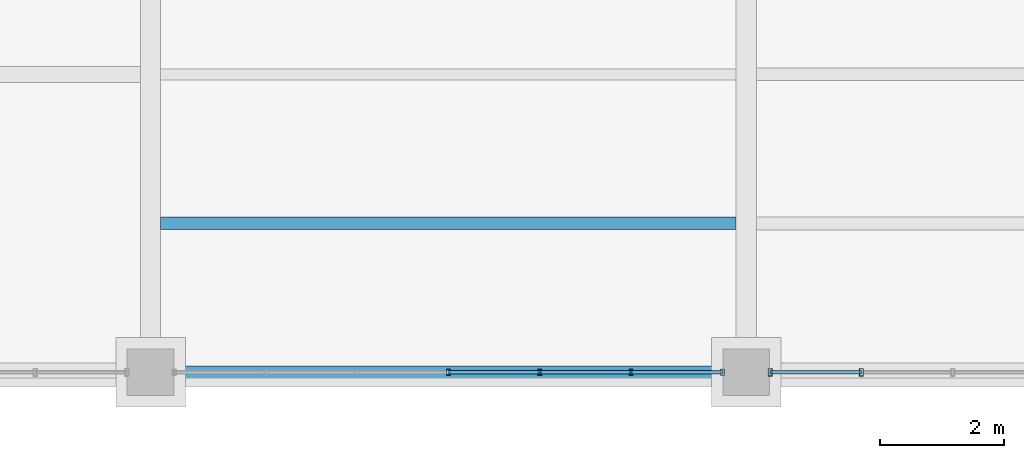
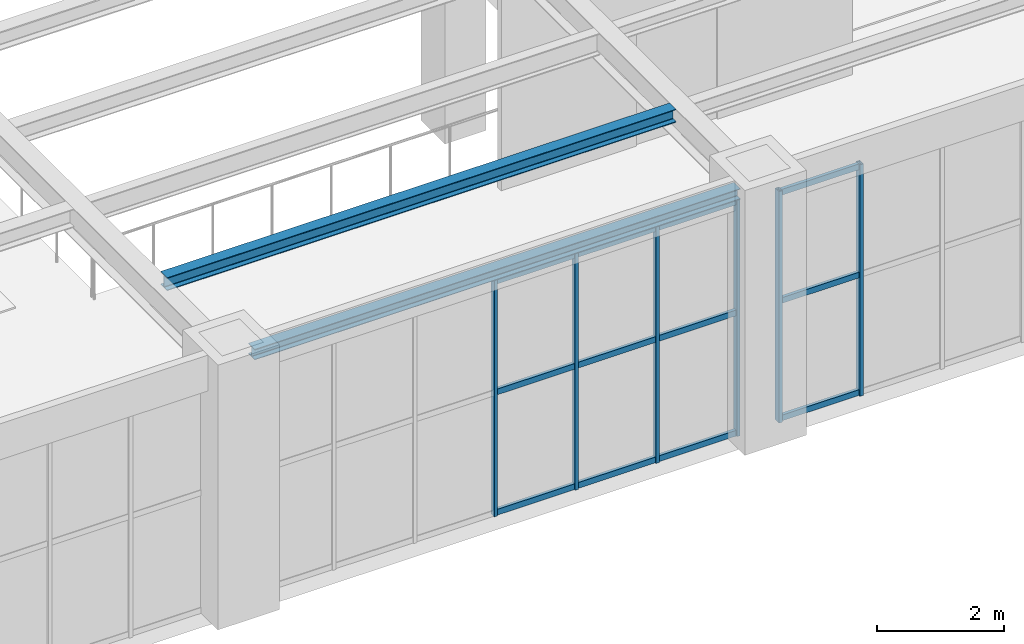
# One storey, part 12 of 174: 18 members, 2 beams, 2 elements without a shape of their own.
"""IFC4 building model written with IfcOpenShell, lengths in metres."""

from ifc_helpers import new_model, si_unit, direction, frame, origin, origin_2d, place, context, subcontext, project, spatial, hollow_rectangle, i_section, extrude, material, material_profile, profile_set, type_object, element, aggregate, save


model = new_model("IFC4")

# Units and contexts
model_context = context("Model", 3, precision=1e-05, world=origin(), true_north=direction((0.0, 1.0)))
body_context = subcontext(model_context, "Body", "Model", "MODEL_VIEW")
ifc_project = project(units=[si_unit("LENGTHUNIT", "METRE"), si_unit("AREAUNIT", "SQUARE_METRE"), si_unit("VOLUMEUNIT", "CUBIC_METRE"), si_unit("PLANEANGLEUNIT", "RADIAN"), si_unit("MASSUNIT", "GRAM", prefix="KILO")], contexts=[model_context])

# Site, building, storey
site_placement = place(None, origin())
site = spatial("IfcSite", under=ifc_project, at=site_placement, CompositionType="ELEMENT")
building_placement = place(site_placement, origin())
building = spatial("IfcBuilding", under=site, at=building_placement, Name="Mavantir Sound Aquarium", CompositionType="ELEMENT")
storey_placement = place(building_placement, frame((0.0, 0.0, 5.39990234375)))
storey = spatial("IfcBuildingStorey", under=building, at=storey_placement, Name="L01", CompositionType="ELEMENT", Elevation=5.39990234375)

# Beams
ifc_material_1 = material(Name="Structural Steel ASTM A992 Gr50", Category="steel")
ifc_material_profile_1 = material_profile(ifc_material_1, i_section(OverallWidth=0.202880859375, OverallDepth=0.202880859375, WebThickness=0.007080078125, FlangeThickness=0.010986328125, FilletRadius=0.010009765625, at=origin_2d()), Name="W200X46")
ifc_profile_set_1 = profile_set([ifc_material_profile_1], Name="Structural Steel ASTM A992 Gr50")
beam_type_1 = type_object("IfcBeamType", Name="BM-W200X46-E", PredefinedType="LINTEL", material=ifc_profile_set_1)
beam_1_placement = place(storey_placement, frame((19.574951171875, 0.0, 4.694580078125), z_axis=(1.0, 0.0, 0.0), x_axis=(0.0, 1.0, 0.0)))
element("IfcBeam", 1, at=beam_1_placement, inside=storey, type_object=beam_type_1, Name="L01 primary beam SL-20 1208", PredefinedType="LINTEL", context=body_context, shape_type="SweptSolid", body=[
    extrude(i_section(OverallWidth=0.202880859375, OverallDepth=0.202880859375, WebThickness=0.007080078125, FlangeThickness=0.010986328125, FilletRadius=0.010009765625, at=origin_2d()), origin(), (0.0, 0.0, 1.0), 8.85009765625),
])
ifc_material_profile_2 = material_profile(ifc_material_1, i_section(OverallWidth=0.202880859375, OverallDepth=0.251953125, WebThickness=0.008056640625, FlangeThickness=0.013427734375, FilletRadius=0.011962890625, at=origin_2d()), Name="W250X58")
ifc_profile_set_2 = profile_set([ifc_material_profile_2], Name="Structural Steel ASTM A992 Gr50")
beam_type_2 = type_object("IfcBeamType", Name="BM-W250X58-I", PredefinedType="JOIST", material=ifc_profile_set_2)
beam_2_placement = place(storey_placement, frame((19.362060546875, 2.39990234375, 4.670166015625), z_axis=(1.0, 0.0, 0.0), x_axis=(0.0, 1.0, 0.0)))
element("IfcBeam", 2, at=beam_2_placement, inside=storey, type_object=beam_type_2, Name="L01 secondary floor joist SJ-25 692", PredefinedType="JOIST", context=body_context, shape_type="SweptSolid", body=[
    extrude(i_section(OverallWidth=0.202880859375, OverallDepth=0.251953125, WebThickness=0.008056640625, FlangeThickness=0.013427734375, FilletRadius=0.011962890625, at=origin_2d()), origin(), (0.0, 0.0, 1.0), 9.27587890625),
])

# Curtain wall, members
ifc_material_2 = material(Name="Anodised Marine Aluminium and Low-E Glass", Category="aluminium")
curtain_wall_type_1 = type_object("IfcCurtainWallType", Name="CW-T07", PredefinedType="USERDEFINED", material=ifc_material_2)
curtain_wall_1_placement = place(storey_placement, origin())
curtain_wall_1 = element("IfcCurtainWall", 3, at=curtain_wall_1_placement, inside=storey, type_object=curtain_wall_type_1, Name="L01 unitised curtain wall CW-07 79", ObjectType="UNITISED GLAZING", PredefinedType="USERDEFINED")
ifc_material_3 = material(Name="Anodised Marine Aluminium 6063-T6", Category="aluminium")
ifc_material_profile_3 = material_profile(ifc_material_3, hollow_rectangle(XDim=0.06005859375, YDim=0.10009765625, WallThickness=0.00390625, at=origin_2d()), Name="ALU-MULLION-100X60")
ifc_profile_set_3 = profile_set([ifc_material_profile_3], Name="Anodised Marine Aluminium 6063-T6")
member_type_1 = type_object("IfcMemberType", Name="CW-MUL-100", PredefinedType="MULLION", material=ifc_profile_set_3)
member_1_placement = place(storey_placement, frame((24.0, 0.0, 0.0), z_axis=(0.0, 0.0, 1.0), x_axis=(1.0, 0.0, 0.0)))
member_1 = element("IfcMember", 4, at=member_1_placement, type_object=member_type_1, Name="CW-L01-079 vertical mullion 4", PredefinedType="MULLION", context=body_context, shape_type="SweptSolid", body=[
    extrude(hollow_rectangle(XDim=0.06005859375, YDim=0.10009765625, WallThickness=0.00390625, at=origin_2d()), origin(), (0.0, 0.0, 1.0), 4.56298828125),
])
member_2_placement = place(storey_placement, frame((25.472412109375, 0.0, 0.0), z_axis=(0.0, 0.0, 1.0), x_axis=(1.0, 0.0, 0.0)))
member_2 = element("IfcMember", 5, at=member_2_placement, type_object=member_type_1, Name="CW-L01-079 vertical mullion 5", PredefinedType="MULLION", context=body_context, shape_type="SweptSolid", body=[
    extrude(hollow_rectangle(XDim=0.06005859375, YDim=0.10009765625, WallThickness=0.00390625, at=origin_2d()), origin(), (0.0, 0.0, 1.0), 4.56298828125),
])
member_3_placement = place(storey_placement, frame((26.944580078125, 0.0, 0.0), z_axis=(0.0, 0.0, 1.0), x_axis=(1.0, 0.0, 0.0)))
member_3 = element("IfcMember", 6, at=member_3_placement, type_object=member_type_1, Name="CW-L01-079 vertical mullion 6", PredefinedType="MULLION", context=body_context, shape_type="SweptSolid", body=[
    extrude(hollow_rectangle(XDim=0.06005859375, YDim=0.10009765625, WallThickness=0.00390625, at=origin_2d()), origin(), (0.0, 0.0, 1.0), 4.56298828125),
])
member_4_placement = place(storey_placement, frame((28.4169921875, 0.0, 0.0), z_axis=(0.0, 0.0, 1.0), x_axis=(1.0, 0.0, 0.0)))
member_4 = element("IfcMember", 7, at=member_4_placement, type_object=member_type_1, Name="CW-L01-079 vertical mullion 7", PredefinedType="MULLION", context=body_context, shape_type="SweptSolid", body=[
    extrude(hollow_rectangle(XDim=0.06005859375, YDim=0.10009765625, WallThickness=0.00390625, at=origin_2d()), origin(), (0.0, 0.0, 1.0), 4.56298828125),
])

curtain_wall_type_2 = type_object("IfcCurtainWallType", Name="CW-T08", PredefinedType="USERDEFINED", material=ifc_material_2)
curtain_wall_2_placement = place(storey_placement, origin())
curtain_wall_2 = element("IfcCurtainWall", 8, at=curtain_wall_2_placement, inside=storey, type_object=curtain_wall_type_2, Name="L01 unitised curtain wall CW-08 80", ObjectType="UNITISED GLAZING", PredefinedType="USERDEFINED")
ifc_material_profile_4 = material_profile(ifc_material_3, hollow_rectangle(XDim=0.06494140625, YDim=0.1201171875, WallThickness=0.00390625, at=origin_2d()), Name="ALU-MULLION-120X65")
ifc_profile_set_4 = profile_set([ifc_material_profile_4], Name="Anodised Marine Aluminium 6063-T6")
member_type_2 = type_object("IfcMemberType", Name="CW-MUL-120", PredefinedType="MULLION", material=ifc_profile_set_4)
member_5_placement = place(storey_placement, frame((29.18310546875, 0.0, 0.0), z_axis=(0.0, 0.0, 1.0), x_axis=(1.0, 0.0, 0.0)))
member_5 = element("IfcMember", 9, at=member_5_placement, type_object=member_type_2, Name="CW-L01-080 vertical mullion 1", PredefinedType="MULLION", context=body_context, shape_type="SweptSolid", body=[
    extrude(hollow_rectangle(XDim=0.06494140625, YDim=0.1201171875, WallThickness=0.00390625, at=origin_2d()), origin(), (0.0, 0.0, 1.0), 4.4580078125),
])
member_6_placement = place(storey_placement, frame((30.6552734375, 0.0, 0.0), z_axis=(0.0, 0.0, 1.0), x_axis=(1.0, 0.0, 0.0)))
member_6 = element("IfcMember", 10, at=member_6_placement, type_object=member_type_2, Name="CW-L01-080 vertical mullion 2", PredefinedType="MULLION", context=body_context, shape_type="SweptSolid", body=[
    extrude(hollow_rectangle(XDim=0.06494140625, YDim=0.1201171875, WallThickness=0.00390625, at=origin_2d()), origin(), (0.0, 0.0, 1.0), 4.4580078125),
])

# Member
ifc_material_profile_5 = material_profile(ifc_material_3, hollow_rectangle(XDim=0.06005859375, YDim=0.110107421875, WallThickness=0.00390625, at=origin_2d()), Name="ALU-TRANSOM-110X60")
ifc_profile_set_5 = profile_set([ifc_material_profile_5], Name="Anodised Marine Aluminium 6063-T6")
member_type_3 = type_object("IfcMemberType", Name="CW-TRN-110", PredefinedType="USERDEFINED", material=ifc_profile_set_5)
member_7_placement = place(storey_placement, frame((24.0, 0.0, 0.05517578125), z_axis=(1.0, 0.0, 0.0), x_axis=(0.0, 1.0, 0.0)))
member_7 = element("IfcMember", 11, at=member_7_placement, type_object=member_type_3, Name="CW-L01-079 transom 4.1", ObjectType="TRANSOM", PredefinedType="USERDEFINED", context=body_context, shape_type="SweptSolid", body=[
    extrude(hollow_rectangle(XDim=0.06005859375, YDim=0.110107421875, WallThickness=0.00390625, at=origin_2d()), origin(), (0.0, 0.0, 1.0), 1.472412109375),
])

member_8_placement = place(storey_placement, frame((24.0, 0.0, 2.372802734375), z_axis=(1.0, 0.0, 0.0), x_axis=(0.0, 1.0, 0.0)))
member_8 = element("IfcMember", 12, at=member_8_placement, type_object=member_type_3, Name="CW-L01-079 transom 4.2", ObjectType="TRANSOM", PredefinedType="USERDEFINED", context=body_context, shape_type="SweptSolid", body=[
    extrude(hollow_rectangle(XDim=0.06005859375, YDim=0.110107421875, WallThickness=0.00390625, at=origin_2d()), origin(), (0.0, 0.0, 1.0), 1.472412109375),
])

member_9_placement = place(storey_placement, frame((24.0, 0.0, 4.508056640625), z_axis=(1.0, 0.0, 0.0), x_axis=(0.0, 1.0, 0.0)))
member_9 = element("IfcMember", 13, at=member_9_placement, type_object=member_type_3, Name="CW-L01-079 transom 4.3", ObjectType="TRANSOM", PredefinedType="USERDEFINED", context=body_context, shape_type="SweptSolid", body=[
    extrude(hollow_rectangle(XDim=0.06005859375, YDim=0.110107421875, WallThickness=0.00390625, at=origin_2d()), origin(), (0.0, 0.0, 1.0), 1.472412109375),
])

member_10_placement = place(storey_placement, frame((25.472412109375, 0.0, 0.05517578125), z_axis=(1.0, 0.0, 0.0), x_axis=(0.0, 1.0, 0.0)))
member_10 = element("IfcMember", 14, at=member_10_placement, type_object=member_type_3, Name="CW-L01-079 transom 5.1", ObjectType="TRANSOM", PredefinedType="USERDEFINED", context=body_context, shape_type="SweptSolid", body=[
    extrude(hollow_rectangle(XDim=0.06005859375, YDim=0.110107421875, WallThickness=0.00390625, at=origin_2d()), origin(), (0.0, 0.0, 1.0), 1.47216796875),
])

member_11_placement = place(storey_placement, frame((25.472412109375, 0.0, 2.372802734375), z_axis=(1.0, 0.0, 0.0), x_axis=(0.0, 1.0, 0.0)))
member_11 = element("IfcMember", 15, at=member_11_placement, type_object=member_type_3, Name="CW-L01-079 transom 5.2", ObjectType="TRANSOM", PredefinedType="USERDEFINED", context=body_context, shape_type="SweptSolid", body=[
    extrude(hollow_rectangle(XDim=0.06005859375, YDim=0.110107421875, WallThickness=0.00390625, at=origin_2d()), origin(), (0.0, 0.0, 1.0), 1.47216796875),
])

member_12_placement = place(storey_placement, frame((25.472412109375, 0.0, 4.508056640625), z_axis=(1.0, 0.0, 0.0), x_axis=(0.0, 1.0, 0.0)))
member_12 = element("IfcMember", 16, at=member_12_placement, type_object=member_type_3, Name="CW-L01-079 transom 5.3", ObjectType="TRANSOM", PredefinedType="USERDEFINED", context=body_context, shape_type="SweptSolid", body=[
    extrude(hollow_rectangle(XDim=0.06005859375, YDim=0.110107421875, WallThickness=0.00390625, at=origin_2d()), origin(), (0.0, 0.0, 1.0), 1.47216796875),
])

member_13_placement = place(storey_placement, frame((26.944580078125, 0.0, 0.05517578125), z_axis=(1.0, 0.0, 0.0), x_axis=(0.0, 1.0, 0.0)))
member_13 = element("IfcMember", 17, at=member_13_placement, type_object=member_type_3, Name="CW-L01-079 transom 6.1", ObjectType="TRANSOM", PredefinedType="USERDEFINED", context=body_context, shape_type="SweptSolid", body=[
    extrude(hollow_rectangle(XDim=0.06005859375, YDim=0.110107421875, WallThickness=0.00390625, at=origin_2d()), origin(), (0.0, 0.0, 1.0), 1.472412109375),
])

member_14_placement = place(storey_placement, frame((26.944580078125, 0.0, 2.372802734375), z_axis=(1.0, 0.0, 0.0), x_axis=(0.0, 1.0, 0.0)))
member_14 = element("IfcMember", 18, at=member_14_placement, type_object=member_type_3, Name="CW-L01-079 transom 6.2", ObjectType="TRANSOM", PredefinedType="USERDEFINED", context=body_context, shape_type="SweptSolid", body=[
    extrude(hollow_rectangle(XDim=0.06005859375, YDim=0.110107421875, WallThickness=0.00390625, at=origin_2d()), origin(), (0.0, 0.0, 1.0), 1.472412109375),
])

member_15_placement = place(storey_placement, frame((26.944580078125, 0.0, 4.508056640625), z_axis=(1.0, 0.0, 0.0), x_axis=(0.0, 1.0, 0.0)))
member_15 = element("IfcMember", 19, at=member_15_placement, type_object=member_type_3, Name="CW-L01-079 transom 6.3", ObjectType="TRANSOM", PredefinedType="USERDEFINED", context=body_context, shape_type="SweptSolid", body=[
    extrude(hollow_rectangle(XDim=0.06005859375, YDim=0.110107421875, WallThickness=0.00390625, at=origin_2d()), origin(), (0.0, 0.0, 1.0), 1.472412109375),
])

aggregate(curtain_wall_1, [member_1, member_2, member_3, member_4, member_7, member_8, member_9, member_10, member_11, member_12, member_13, member_14, member_15])

member_16_placement = place(storey_placement, frame((29.18310546875, 0.0, 0.05517578125), z_axis=(1.0, 0.0, 0.0), x_axis=(0.0, 1.0, 0.0)))
member_16 = element("IfcMember", 20, at=member_16_placement, type_object=member_type_3, Name="CW-L01-080 transom 1.1", ObjectType="TRANSOM", PredefinedType="USERDEFINED", context=body_context, shape_type="SweptSolid", body=[
    extrude(hollow_rectangle(XDim=0.06005859375, YDim=0.110107421875, WallThickness=0.00390625, at=origin_2d()), origin(), (0.0, 0.0, 1.0), 1.47216796875),
])

member_17_placement = place(storey_placement, frame((29.18310546875, 0.0, 2.318359375), z_axis=(1.0, 0.0, 0.0), x_axis=(0.0, 1.0, 0.0)))
member_17 = element("IfcMember", 21, at=member_17_placement, type_object=member_type_3, Name="CW-L01-080 transom 1.2", ObjectType="TRANSOM", PredefinedType="USERDEFINED", context=body_context, shape_type="SweptSolid", body=[
    extrude(hollow_rectangle(XDim=0.06005859375, YDim=0.110107421875, WallThickness=0.00390625, at=origin_2d()), origin(), (0.0, 0.0, 1.0), 1.47216796875),
])

member_18_placement = place(storey_placement, frame((29.18310546875, 0.0, 4.403076171875), z_axis=(1.0, 0.0, 0.0), x_axis=(0.0, 1.0, 0.0)))
member_18 = element("IfcMember", 22, at=member_18_placement, type_object=member_type_3, Name="CW-L01-080 transom 1.3", ObjectType="TRANSOM", PredefinedType="USERDEFINED", context=body_context, shape_type="SweptSolid", body=[
    extrude(hollow_rectangle(XDim=0.06005859375, YDim=0.110107421875, WallThickness=0.00390625, at=origin_2d()), origin(), (0.0, 0.0, 1.0), 1.47216796875),
])

aggregate(curtain_wall_2, [member_5, member_6, member_16, member_17, member_18])

save(model, "model.ifc")
